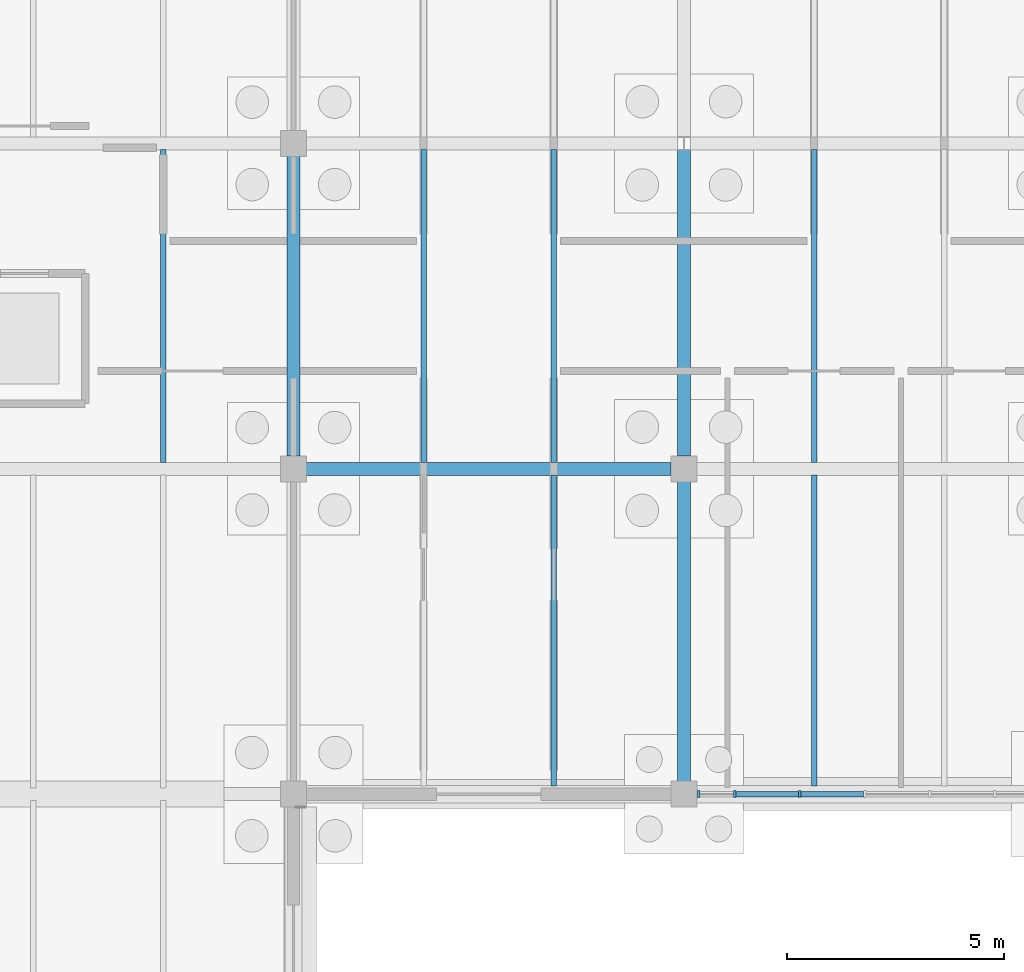
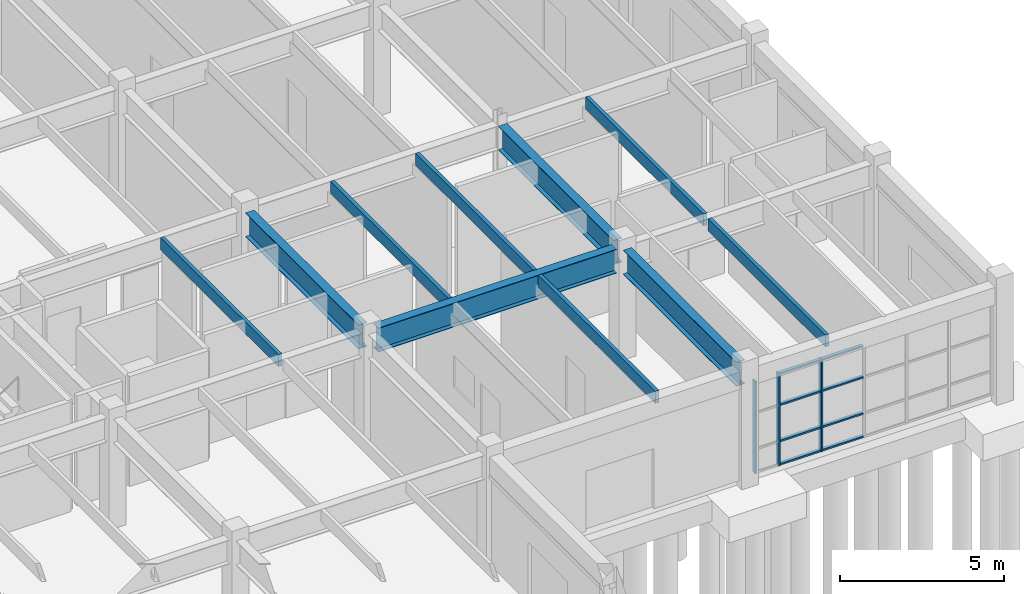
# One storey, part 29 of 93: 11 members, 10 beams, 1 element without a shape of its own.
"""IFC4 building model written with IfcOpenShell, lengths in metres."""

from ifc_helpers import new_model, si_unit, direction, frame, origin, origin_2d, place, context, subcontext, project, spatial, rectangle, i_section, extrude, material, layer, layer_set, material_profile, profile_set, type_object, element, aggregate, save


model = new_model("IFC4")

# Units and contexts
model_context = context("Model", 3, precision=1e-05, world=origin(), true_north=direction((0.0, 1.0)))
body_context = subcontext(model_context, "Body", "Model", "MODEL_VIEW")
ifc_project = project(units=[si_unit("LENGTHUNIT", "METRE"), si_unit("AREAUNIT", "SQUARE_METRE"), si_unit("VOLUMEUNIT", "CUBIC_METRE"), si_unit("PLANEANGLEUNIT", "RADIAN"), si_unit("MASSUNIT", "GRAM", prefix="KILO")], contexts=[model_context])

# Site, building, storey
site_placement = place(None, origin())
site = spatial("IfcSite", under=ifc_project, at=site_placement, CompositionType="ELEMENT")
building_placement = place(site_placement, origin())
building = spatial("IfcBuilding", under=site, at=building_placement, Name="Marnridge Secondary College", CompositionType="ELEMENT")
storey_placement = place(building_placement, origin())
storey = spatial("IfcBuildingStorey", under=building, at=storey_placement, Name="L00", CompositionType="ELEMENT", Elevation=0.0)

# Beams
ifc_material_1 = material(Name="Engineered timber LVL E13.2", Category="wood")
ifc_material_profile_1 = material_profile(ifc_material_1, rectangle(XDim=0.1259765625, YDim=0.449951171875, at=origin_2d()), Name="LVL 126x450")
ifc_profile_set_1 = profile_set([ifc_material_profile_1], Name="Engineered timber LVL E13.2")
beam_type_1 = type_object("IfcBeamType", Name="BM-LVL450-INT", PredefinedType="JOIST", material=ifc_profile_set_1)
beam_1_placement = place(storey_placement, frame((15.0, 90.14404296875, 3.875), z_axis=(0.0, 1.0, 0.0), x_axis=(-1.0, 0.0, 0.0)))
element("IfcBeam", 1, at=beam_1_placement, inside=storey, type_object=beam_type_1, Name="Beam BJ-L00-0286", PredefinedType="JOIST", context=body_context, shape_type="SweptSolid", body=[
    extrude(rectangle(XDim=0.1259765625, YDim=0.449951171875, at=origin_2d()), origin(), (0.0, 0.0, 1.0), 7.2119140625),
])
beam_2_placement = place(storey_placement, frame((24.0, 82.694091796875, 3.875), z_axis=(0.0, 1.0, 0.0), x_axis=(-1.0, 0.0, 0.0)))
element("IfcBeam", 2, at=beam_2_placement, inside=storey, type_object=beam_type_1, Name="Beam BJ-L00-0294", PredefinedType="JOIST", context=body_context, shape_type="SweptSolid", body=[
    extrude(rectangle(XDim=0.1259765625, YDim=0.449951171875, at=origin_2d()), origin(), (0.0, 0.0, 1.0), 7.161865234375),
])
for number, where, z_axis, x_axis, name in (
    (3, (21.0, 90.14404296875, 3.875), (0.0, 1.0, 0.0), (-1.0, 0.0, 0.0), "Beam BJ-L00-0295"),
    (4, (24.0, 90.14404296875, 3.875), (0.0, 1.0, 0.0), (-1.0, 0.0, 0.0), "Beam BJ-L00-0296"),
):
    element("IfcBeam", number, at=place(storey_placement, frame(where, z_axis=z_axis, x_axis=x_axis)), inside=storey, type_object=beam_type_1, Name=name, PredefinedType="JOIST", context=body_context, shape_type="SweptSolid", body=[
        extrude(rectangle(XDim=0.1259765625, YDim=0.449951171875, at=origin_2d()), origin(), (0.0, 0.0, 1.0), 7.2119140625),
    ])
beam_3_placement = place(storey_placement, frame((30.0, 82.694091796875, 3.875), z_axis=(0.0, 1.0, 0.0), x_axis=(-1.0, 0.0, 0.0)))
element("IfcBeam", 5, at=beam_3_placement, inside=storey, type_object=beam_type_1, Name="Beam BJ-L00-0303", PredefinedType="JOIST", context=body_context, shape_type="SweptSolid", body=[
    extrude(rectangle(XDim=0.1259765625, YDim=0.449951171875, at=origin_2d()), origin(), (0.0, 0.0, 1.0), 7.161865234375),
])
beam_4_placement = place(storey_placement, frame((30.0, 90.14404296875, 3.875), z_axis=(0.0, 1.0, 0.0), x_axis=(-1.0, 0.0, 0.0)))
element("IfcBeam", 6, at=beam_4_placement, inside=storey, type_object=beam_type_1, Name="Beam BJ-L00-0305", PredefinedType="JOIST", context=body_context, shape_type="SweptSolid", body=[
    extrude(rectangle(XDim=0.1259765625, YDim=0.449951171875, at=origin_2d()), origin(), (0.0, 0.0, 1.0), 7.2119140625),
])
ifc_material_2 = material(Name="Structural steel Grade 350 (AS/NZS 3679.1/.2, fy = 340-360 MPa)", Category="steel")
ifc_material_profile_2 = material_profile(ifc_material_2, i_section(OverallWidth=0.300048828125, OverallDepth=0.89990234375, WebThickness=0.011962890625, FlangeThickness=0.02001953125, at=origin_2d()), Name="900WB175")
ifc_profile_set_2 = profile_set([ifc_material_profile_2], Name="Structural steel Grade 350 (AS/NZS 3679.1/.2, fy = 340-360 MPa)")
beam_type_2 = type_object("IfcBeamType", Name="BM-WB900-INT", PredefinedType="BEAM", material=ifc_profile_set_2)
beam_5_placement = place(storey_placement, frame((18.0, 90.2939453125, 3.64990234375), z_axis=(0.0, 1.0, 0.0), x_axis=(-1.0, 0.0, 0.0)))
element("IfcBeam", 7, at=beam_5_placement, inside=storey, type_object=beam_type_2, Name="Beam B-L00-0242", PredefinedType="BEAM", context=body_context, shape_type="SweptSolid", body=[
    extrude(i_section(OverallWidth=0.300048828125, OverallDepth=0.89990234375, WebThickness=0.011962890625, FlangeThickness=0.02001953125, at=origin_2d()), origin(), (0.0, 0.0, 1.0), 6.912109375),
])
beam_6_placement = place(storey_placement, frame((18.2939453125, 90.0, 3.64990234375), z_axis=(1.0, 0.0, 0.0), x_axis=(0.0, 1.0, 0.0)))
element("IfcBeam", 8, at=beam_6_placement, inside=storey, type_object=beam_type_2, Name="Beam B-L00-0250", PredefinedType="BEAM", context=body_context, shape_type="SweptSolid", body=[
    extrude(i_section(OverallWidth=0.300048828125, OverallDepth=0.89990234375, WebThickness=0.011962890625, FlangeThickness=0.02001953125, at=origin_2d()), origin(), (0.0, 0.0, 1.0), 8.412109375),
])
beam_7_placement = place(storey_placement, frame((27.0, 82.7939453125, 3.64990234375), z_axis=(0.0, 1.0, 0.0), x_axis=(-1.0, 0.0, 0.0)))
element("IfcBeam", 9, at=beam_7_placement, inside=storey, type_object=beam_type_2, Name="Beam B-L00-0251", PredefinedType="BEAM", context=body_context, shape_type="SweptSolid", body=[
    extrude(i_section(OverallWidth=0.300048828125, OverallDepth=0.89990234375, WebThickness=0.011962890625, FlangeThickness=0.02001953125, at=origin_2d()), origin(), (0.0, 0.0, 1.0), 6.912109375),
])
beam_8_placement = place(storey_placement, frame((27.0, 90.2939453125, 3.64990234375), z_axis=(0.0, 1.0, 0.0), x_axis=(-1.0, 0.0, 0.0)))
element("IfcBeam", 10, at=beam_8_placement, inside=storey, type_object=beam_type_2, Name="Beam B-L00-0253", PredefinedType="BEAM", context=body_context, shape_type="SweptSolid", body=[
    extrude(i_section(OverallWidth=0.300048828125, OverallDepth=0.89990234375, WebThickness=0.011962890625, FlangeThickness=0.02001953125, at=origin_2d()), origin(), (0.0, 0.0, 1.0), 7.0517578125),
])

# Curtain wall, members
ifc_material_3 = material(Name="Thermally broken aluminium and low-E glazing", Category="aluminium")
ifc_layer = layer(ifc_material_3, 0.159912109375)
ifc_layer_set = layer_set([ifc_layer], Name="CW-MOD-1500")
curtain_wall_type = type_object("IfcCurtainWallType", Name="CW-MOD-1500", PredefinedType="NOTDEFINED", material=ifc_layer_set)
curtain_wall_placement = place(storey_placement, origin())
curtain_wall = element("IfcCurtainWall", 11, at=curtain_wall_placement, inside=storey, type_object=curtain_wall_type, Name="Unitised curtain wall CW-L00-014", PredefinedType="NOTDEFINED")
ifc_material_4 = material(Name="Anodised aluminium 6063-T6", Category="aluminium")
ifc_material_profile_3 = material_profile(ifc_material_4, rectangle(XDim=0.06005859375, YDim=0.159912109375, at=origin_2d()), Name="ALU 60x160")
ifc_profile_set_3 = profile_set([ifc_material_profile_3], Name="Anodised aluminium 6063-T6")
member_type_1 = type_object("IfcMemberType", Name="CWM-ALU160", PredefinedType="MULLION", material=ifc_profile_set_3)
member_1_placement = place(storey_placement, frame((29.666015625, 82.5, 0.0), z_axis=(0.0, 0.0, 1.0), x_axis=(-1.0, 0.0, 0.0)))
member_1 = element("IfcMember", 12, at=member_1_placement, type_object=member_type_1, Name="CW-L00-014 mullion 5", PredefinedType="MULLION", context=body_context, shape_type="SweptSolid", body=[
    extrude(rectangle(XDim=0.06005859375, YDim=0.159912109375, at=origin_2d()), origin(), (0.0, 0.0, 1.0), 3.44189453125),
])
member_2_placement = place(storey_placement, frame((28.166015625, 82.5, 0.0), z_axis=(0.0, 0.0, 1.0), x_axis=(-1.0, 0.0, 0.0)))
member_2 = element("IfcMember", 13, at=member_2_placement, type_object=member_type_1, Name="CW-L00-014 mullion 6", PredefinedType="MULLION", context=body_context, shape_type="SweptSolid", body=[
    extrude(rectangle(XDim=0.06005859375, YDim=0.159912109375, at=origin_2d()), origin(), (0.0, 0.0, 1.0), 3.44189453125),
])
member_3_placement = place(storey_placement, frame((27.333984375, 82.5, 0.0), z_axis=(0.0, 0.0, 1.0), x_axis=(-1.0, 0.0, 0.0)))
member_3 = element("IfcMember", 14, at=member_3_placement, type_object=member_type_1, Name="CW-L00-014 mullion 7", PredefinedType="MULLION", context=body_context, shape_type="SweptSolid", body=[
    extrude(rectangle(XDim=0.06005859375, YDim=0.159912109375, at=origin_2d()), origin(), (0.0, 0.0, 1.0), 3.44189453125),
])
ifc_material_5 = material(Name="Anodised aluminium 6063-T6", Category="aluminium")
ifc_material_profile_4 = material_profile(ifc_material_5, rectangle(XDim=0.06005859375, YDim=0.1201171875, at=origin_2d()), Name="ALU 60x120")
ifc_profile_set_4 = profile_set([ifc_material_profile_4], Name="Anodised aluminium 6063-T6")
member_type_2 = type_object("IfcMemberType", Name="CWT-ALU120", PredefinedType="USERDEFINED", material=ifc_profile_set_4)
member_4_placement = place(storey_placement, frame((31.135986328125, 82.5, 0.030029296875), z_axis=(-1.0, 0.0, 0.0), x_axis=(0.0, 0.0, 1.0)))
member_4 = element("IfcMember", 15, at=member_4_placement, type_object=member_type_2, Name="CW-L00-014 transom 4.1", ObjectType="TRANSOM", PredefinedType="USERDEFINED", context=body_context, shape_type="SweptSolid", body=[
    extrude(rectangle(XDim=0.06005859375, YDim=0.1201171875, at=origin_2d()), origin(), (0.0, 0.0, 1.0), 1.43994140625),
])
member_5_placement = place(storey_placement, frame((31.135986328125, 82.5, 0.89990234375), z_axis=(-1.0, 0.0, 0.0), x_axis=(0.0, 0.0, 1.0)))
member_5 = element("IfcMember", 16, at=member_5_placement, type_object=member_type_2, Name="CW-L00-014 transom 4.2", ObjectType="TRANSOM", PredefinedType="USERDEFINED", context=body_context, shape_type="SweptSolid", body=[
    extrude(rectangle(XDim=0.06005859375, YDim=0.1201171875, at=origin_2d()), origin(), (0.0, 0.0, 1.0), 1.43994140625),
])
member_6_placement = place(storey_placement, frame((31.135986328125, 82.5, 2.25), z_axis=(-1.0, 0.0, 0.0), x_axis=(0.0, 0.0, 1.0)))
member_6 = element("IfcMember", 17, at=member_6_placement, type_object=member_type_2, Name="CW-L00-014 transom 4.3", ObjectType="TRANSOM", PredefinedType="USERDEFINED", context=body_context, shape_type="SweptSolid", body=[
    extrude(rectangle(XDim=0.06005859375, YDim=0.1201171875, at=origin_2d()), origin(), (0.0, 0.0, 1.0), 1.43994140625),
])
member_7_placement = place(storey_placement, frame((31.135986328125, 82.5, 3.412109375), z_axis=(-1.0, 0.0, 0.0), x_axis=(0.0, 0.0, 1.0)))
member_7 = element("IfcMember", 18, at=member_7_placement, type_object=member_type_2, Name="CW-L00-014 transom 4.4", ObjectType="TRANSOM", PredefinedType="USERDEFINED", context=body_context, shape_type="SweptSolid", body=[
    extrude(rectangle(XDim=0.06005859375, YDim=0.1201171875, at=origin_2d()), origin(), (0.0, 0.0, 1.0), 1.43994140625),
])
member_8_placement = place(storey_placement, frame((29.635986328125, 82.5, 0.030029296875), z_axis=(-1.0, 0.0, 0.0), x_axis=(0.0, 0.0, 1.0)))
member_8 = element("IfcMember", 19, at=member_8_placement, type_object=member_type_2, Name="CW-L00-014 transom 5.1", ObjectType="TRANSOM", PredefinedType="USERDEFINED", context=body_context, shape_type="SweptSolid", body=[
    extrude(rectangle(XDim=0.06005859375, YDim=0.1201171875, at=origin_2d()), origin(), (0.0, 0.0, 1.0), 1.43994140625),
])
member_9_placement = place(storey_placement, frame((29.635986328125, 82.5, 0.89990234375), z_axis=(-1.0, 0.0, 0.0), x_axis=(0.0, 0.0, 1.0)))
member_9 = element("IfcMember", 20, at=member_9_placement, type_object=member_type_2, Name="CW-L00-014 transom 5.2", ObjectType="TRANSOM", PredefinedType="USERDEFINED", context=body_context, shape_type="SweptSolid", body=[
    extrude(rectangle(XDim=0.06005859375, YDim=0.1201171875, at=origin_2d()), origin(), (0.0, 0.0, 1.0), 1.43994140625),
])
member_10_placement = place(storey_placement, frame((29.635986328125, 82.5, 2.25), z_axis=(-1.0, 0.0, 0.0), x_axis=(0.0, 0.0, 1.0)))
member_10 = element("IfcMember", 21, at=member_10_placement, type_object=member_type_2, Name="CW-L00-014 transom 5.3", ObjectType="TRANSOM", PredefinedType="USERDEFINED", context=body_context, shape_type="SweptSolid", body=[
    extrude(rectangle(XDim=0.06005859375, YDim=0.1201171875, at=origin_2d()), origin(), (0.0, 0.0, 1.0), 1.43994140625),
])
member_11_placement = place(storey_placement, frame((29.635986328125, 82.5, 3.412109375), z_axis=(-1.0, 0.0, 0.0), x_axis=(0.0, 0.0, 1.0)))
member_11 = element("IfcMember", 22, at=member_11_placement, type_object=member_type_2, Name="CW-L00-014 transom 5.4", ObjectType="TRANSOM", PredefinedType="USERDEFINED", context=body_context, shape_type="SweptSolid", body=[
    extrude(rectangle(XDim=0.06005859375, YDim=0.1201171875, at=origin_2d()), origin(), (0.0, 0.0, 1.0), 1.43994140625),
])
aggregate(curtain_wall, [member_1, member_2, member_3, member_4, member_5, member_6, member_7, member_8, member_9, member_10, member_11])

save(model, "model.ifc")
